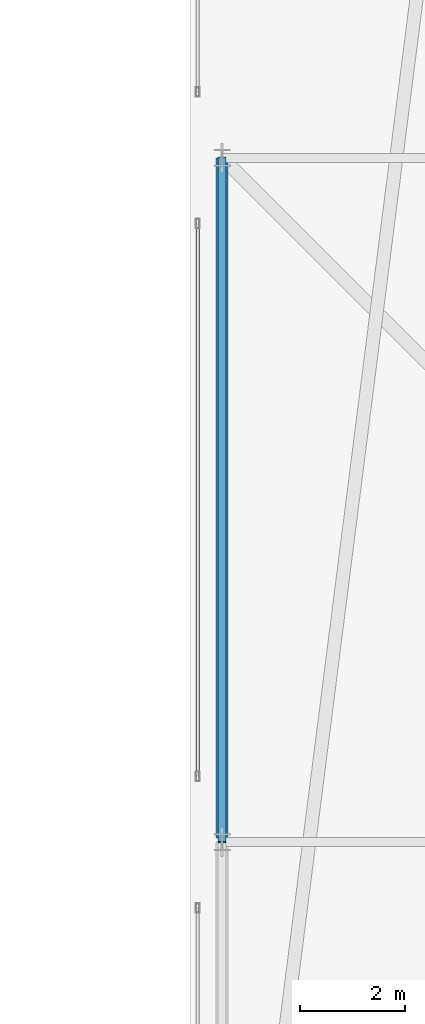
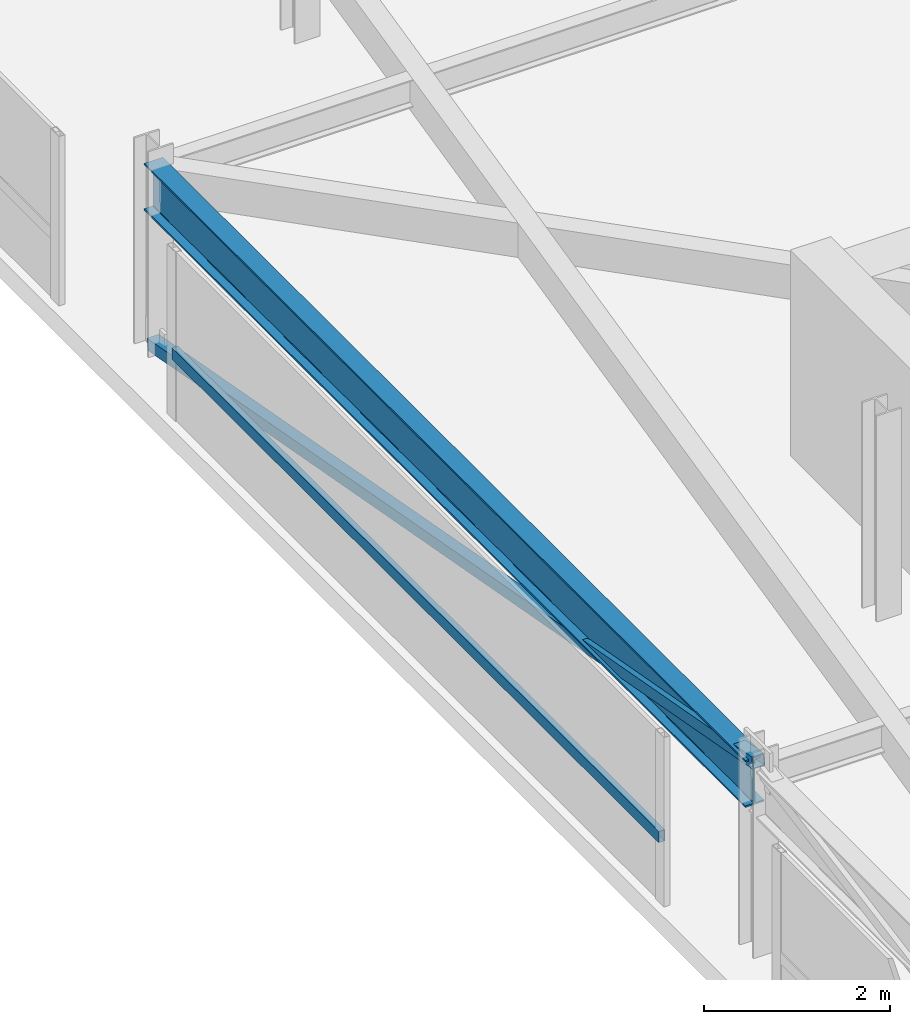
# One storey, part 23 of 44: 2 members, 1 beam, 1 element without a shape of its own.
"""IFC4 building model written with IfcOpenShell, lengths in metres."""

import ifcopenshell
import ifcopenshell.guid

model = None  # the IFC model being written
_history = None  # IfcOwnerHistory: only IFC2X3 demands one
_inside = {}  # id of a spatial element -> (the spatial element, [elements in it])
_under = {}  # id of a project, library or spatial element -> (it, [spatial elements below it])
_declared = {}  # id of a project -> (the project, [libraries it declares])
_typed = {}  # id of a type object -> (the type object, [elements of that type])
_made_of = {}  # id of a material, layer set ... -> (it, [elements and type objects made of it])


def new_model(schema):
    """Start an empty IFC model of exactly this schema.

    Asked for "IFC4X3", IfcOpenShell would pick the latest addendum, in which some entities
    have other attributes; the version numbers below select the first issue.
    IFC2X3 requires an IfcOwnerHistory on every rooted entity: one is made here for all.
    """
    global model, _history
    if schema == "IFC4X3":
        model = ifcopenshell.file(schema_version=(4, 3, 0, 0))
    else:
        model = ifcopenshell.file(schema=schema)
    _inside.clear()
    _under.clear()
    _declared.clear()
    _typed.clear()
    _made_of.clear()
    _history = None
    if model.schema == "IFC2X3":
        org = make("IfcOrganization", Name="unknown")
        user = make(
            "IfcPersonAndOrganization",
            ThePerson=make("IfcPerson", FamilyName="unknown"),
            TheOrganization=org,
        )
        app = make(
            "IfcApplication",
            ApplicationDeveloper=org,
            Version="unknown",
            ApplicationFullName="unknown",
            ApplicationIdentifier="unknown",
        )
        _history = make(
            "IfcOwnerHistory",
            OwningUser=user,
            OwningApplication=app,
            ChangeAction="ADDED",
            CreationDate=0,
        )
    return model


def make(cls, **values):
    """One entity of the class cls with the attributes given. An attribute that is None is left unset."""
    return model.create_entity(
        cls, **{name: value for name, value in values.items() if value is not None}
    )


def rooted(cls, **values):
    """An entity with a GlobalId (a new one), such as an element, a storey or a relation."""
    return make(cls, GlobalId=ifcopenshell.guid.new(), OwnerHistory=_history, **values)


def si_unit(unit_type, name, prefix=None):
    """IfcSIUnit, for example si_unit("LENGTHUNIT", "METRE", prefix="MILLI")."""
    return make("IfcSIUnit", UnitType=unit_type, Prefix=prefix, Name=name)


def assignment(units):
    """IfcUnitAssignment: the units of a project."""
    return None if units is None else make("IfcUnitAssignment", Units=units)


def point(xyz):
    """IfcCartesianPoint."""
    return None if xyz is None else make("IfcCartesianPoint", Coordinates=xyz)


def direction(xyz):
    """IfcDirection."""
    return None if xyz is None else make("IfcDirection", DirectionRatios=xyz)


def frame(location, z_axis=None, x_axis=None):
    """IfcAxis2Placement3D, a coordinate frame: its origin and axes. An axis left out is left unset."""
    return make(
        "IfcAxis2Placement3D",
        Location=point(location),
        Axis=direction(z_axis),
        RefDirection=direction(x_axis),
    )


def frame_2d(location, x_axis=None):
    """IfcAxis2Placement2D, a coordinate frame in the plane: its origin and x axis."""
    return make(
        "IfcAxis2Placement2D", Location=point(location), RefDirection=direction(x_axis)
    )


def origin():
    """The frame at (0, 0, 0) with its axes left unset."""
    return frame((0.0, 0.0, 0.0))


def origin_2d():
    """The frame at (0, 0) in the plane with its x axis left unset."""
    return frame_2d((0.0, 0.0))


def place(relative_to, where):
    """IfcLocalPlacement: puts the frame where relative to a parent placement (None: the world)."""
    return make(
        "IfcLocalPlacement", PlacementRelTo=relative_to, RelativePlacement=where
    )


def context(
    kind, dimensions, precision=None, world=None, true_north=None, identifier=None
):
    """IfcGeometricRepresentationContext, for example the 3D "Model" context."""
    return make(
        "IfcGeometricRepresentationContext",
        ContextIdentifier=identifier,
        ContextType=kind,
        CoordinateSpaceDimension=dimensions,
        Precision=precision,
        WorldCoordinateSystem=world,
        TrueNorth=true_north,
    )


def subcontext(parent, identifier, kind, view, scale=None):
    """IfcGeometricRepresentationSubContext, for example "Body" below "Model"."""
    return make(
        "IfcGeometricRepresentationSubContext",
        ContextIdentifier=identifier,
        ContextType=kind,
        ParentContext=parent,
        TargetScale=scale,
        TargetView=view,
    )


def project(units=None, contexts=None):
    """IfcProject with its units and contexts."""
    return rooted(
        "IfcProject",
        Name="project",
        RepresentationContexts=contexts,
        UnitsInContext=assignment(units),
    )


def spatial(cls, under=None, at=None, **own):
    """A site, building, storey or space (cls), placed at a placement, below another one or the project."""
    s = rooted(cls, ObjectPlacement=at, **own)
    if under is not None:
        _under.setdefault(under.id(), (under, []))[1].append(s)
    return s


def profile(cls, at=None, kind="AREA", **sizes):
    """A parametric profile (cls). Its sizes go by their IFC names, for example OverallWidth=200.0."""
    return make(cls, ProfileType=kind, Position=at, **sizes)


def hollow_rectangle(**sizes):
    """IfcRectangleHollowProfileDef."""
    return profile("IfcRectangleHollowProfileDef", **sizes)


def i_section(**sizes):
    """IfcIShapeProfileDef."""
    return profile("IfcIShapeProfileDef", **sizes)


def extrude(swept, where, along, depth):
    """IfcExtrudedAreaSolid: the profile swept, set in the frame where, extruded along a direction by depth."""
    return make(
        "IfcExtrudedAreaSolid",
        SweptArea=swept,
        Position=where,
        ExtrudedDirection=direction(along),
        Depth=depth,
    )


def shape(context_of_items, identifier, shape_type, items):
    """IfcShapeRepresentation: the items that make up one representation, for example the "Body"."""
    return make(
        "IfcShapeRepresentation",
        ContextOfItems=context_of_items,
        RepresentationIdentifier=identifier,
        RepresentationType=shape_type,
        Items=items,
    )


def material(Name=None, Category=None):
    """IfcMaterial."""
    return make("IfcMaterial", Name=Name, Category=Category)


def material_profile(
    of_material, cross_section, Name=None, Category=None, Priority=None
):
    """IfcMaterialProfile: a cross section and its material."""
    return make(
        "IfcMaterialProfile",
        Name=Name,
        Material=of_material,
        Profile=cross_section,
        Priority=Priority,
        Category=Category,
    )


def profile_set(profiles, Name=None, composite=None):
    """IfcMaterialProfileSet."""
    return make(
        "IfcMaterialProfileSet",
        Name=Name,
        MaterialProfiles=profiles,
        CompositeProfile=composite,
    )


def made_of(thing, what):
    """Note that an element or type object is made of a material, layer set ...; save() writes the relation."""
    if what is not None:
        _made_of.setdefault(what.id(), (what, []))[1].append(thing)
    return thing


def type_object(cls, material=None, **own):
    """A type object (cls), such as IfcWallType, which elements share."""
    return made_of(rooted(cls, **own), material)


def element(
    cls,
    number,
    at=None,
    inside=None,
    cuts=None,
    type_object=None,
    material=None,
    context=None,
    identifier="Body",
    shape_type=None,
    held_by="IfcProductDefinitionShape",
    body=None,
    shapes=None,
    **own,
):
    """One element of the class cls, such as IfcWall. Its Tag is "e" and its number.

    at: its placement. inside: the storey or other place that contains it. cuts: it is an
    opening in that element (IfcRelVoidsElement). A single representation is given by context,
    identifier, shape_type and body (its items); several are given by shapes. held_by: the class
    of the entity that holds the representations. save() writes the other relations.
    """
    e = rooted(cls, Tag="e%d" % number, ObjectPlacement=at, **own)
    if body is not None:
        shapes = [shape(context, identifier, shape_type, body)]
    if shapes is not None:
        e.Representation = make(held_by, Representations=shapes)
    if inside is not None:
        _inside.setdefault(inside.id(), (inside, []))[1].append(e)
    if cuts is not None:
        rooted(
            "IfcRelVoidsElement", RelatingBuildingElement=cuts, RelatedOpeningElement=e
        )
    if type_object is not None:
        _typed.setdefault(type_object.id(), (type_object, []))[1].append(e)
    return made_of(e, material)


def aggregate(whole, parts):
    """IfcRelAggregates: a whole, such as a stair, and the parts it consists of."""
    return rooted("IfcRelAggregates", RelatingObject=whole, RelatedObjects=parts)


def save(model, path):
    """Write the relations noted so far, then the file.

    IfcRelAggregates (storeys below a building ...), IfcRelContainedInSpatialStructure (elements
    in a storey), IfcRelDefinesByType, IfcRelAssociatesMaterial and IfcRelDeclares: one each for
    every whole, place, type object, material and project.
    """
    for whole, parts in _under.values():
        aggregate(whole, parts)
    for where, things in _inside.values():
        rooted(
            "IfcRelContainedInSpatialStructure",
            RelatedElements=things,
            RelatingStructure=where,
        )
    for kind, things in _typed.values():
        rooted("IfcRelDefinesByType", RelatedObjects=things, RelatingType=kind)
    for what, things in _made_of.values():
        rooted("IfcRelAssociatesMaterial", RelatedObjects=things, RelatingMaterial=what)
    for by, libraries in _declared.values():
        rooted("IfcRelDeclares", RelatingContext=by, RelatedDefinitions=libraries)
    model.write(path)


model = new_model("IFC4")

# Units and contexts
model_context = context("Model", 3, precision=1e-05, world=origin(), true_north=direction((0.0, 1.0)))
body_context = subcontext(model_context, "Body", "Model", "MODEL_VIEW")
ifc_project = project(units=[si_unit("LENGTHUNIT", "METRE"), si_unit("AREAUNIT", "SQUARE_METRE"), si_unit("VOLUMEUNIT", "CUBIC_METRE"), si_unit("PLANEANGLEUNIT", "RADIAN"), si_unit("MASSUNIT", "GRAM", prefix="KILO")], contexts=[model_context])

# Site, building, storey
site_placement = place(None, origin())
site = spatial("IfcSite", under=ifc_project, at=site_placement, CompositionType="ELEMENT")
building_placement = place(site_placement, origin())
building = spatial("IfcBuilding", under=site, at=building_placement, Name="Thornwick Lancets Civic Towers", CompositionType="ELEMENT")
storey_placement = place(building_placement, frame((0.0, 0.0, 294.89990234375)))
storey = spatial("IfcBuildingStorey", under=building, at=storey_placement, Name="C06", CompositionType="ELEMENT", Elevation=294.89990234375)

# Beam
ifc_material_1 = material(Name="Steel S355JR", Category="steel")
ifc_material_profile_1 = material_profile(ifc_material_1, i_section(OverallWidth=0.230224609375, OverallDepth=0.6171875, WebThickness=0.01318359375, FlangeThickness=0.022216796875, FilletRadius=0.0126953125, at=origin_2d()), Name="UKB 610x229x140")
ifc_profile_set_1 = profile_set([ifc_material_profile_1], Name="Steel S355JR")
beam_type = type_object("IfcBeamType", Name="BM_GIRD_610_140", PredefinedType="BEAM", material=ifc_profile_set_1)
beam_placement = place(storey_placement, frame((71.199951171875, 27.080078125, 2.131591796875), z_axis=(0.0, 1.0, 0.0), x_axis=(-1.0, 0.0, 0.0)))
element("IfcBeam", 1, at=beam_placement, inside=storey, type_object=beam_type, Name="BM-SPINE-C06-B-7-8", PredefinedType="BEAM", context=body_context, shape_type="SweptSolid", body=[
    extrude(i_section(OverallWidth=0.230224609375, OverallDepth=0.6171875, WebThickness=0.01318359375, FlangeThickness=0.022216796875, FilletRadius=0.0126953125, at=origin_2d()), origin(), (0.0, 0.0, 1.0), 12.919921875),
])

# Curtain wall, member
ifc_material_2 = material(Name="Crown ring acoustic-louvre and glazing screen wall", Category="glass")
curtain_wall_type = type_object("IfcCurtainWallType", Name="CW_SYS_07", PredefinedType="NOTDEFINED", material=ifc_material_2)
curtain_wall_placement = place(storey_placement, origin())
curtain_wall = element("IfcCurtainWall", 2, at=curtain_wall_placement, inside=storey, type_object=curtain_wall_type, Name="C06 Curtain Wall CW-C06-B-E6-S2", PredefinedType="NOTDEFINED")
ifc_material_3 = material(Name="Thermally broken bronze aluminium S355", Category="steel")
ifc_material_profile_2 = material_profile(ifc_material_3, hollow_rectangle(XDim=0.074951171875, YDim=0.14990234375, WallThickness=0.0048828125, at=origin_2d()), Name="RHS 150x75x5")
ifc_profile_set_2 = profile_set([ifc_material_profile_2], Name="Thermally broken bronze aluminium S355")
member_type_1 = type_object("IfcMemberType", Name="CW_TRN_150", PredefinedType="USERDEFINED", material=ifc_profile_set_2)
member_1_placement = place(storey_placement, frame((70.7353515625, 38.72998046875, 0.85009765625), z_axis=(0.0, -1.0, 0.0), x_axis=(1.0, 0.0, 0.0)))
member_1 = element("IfcMember", 3, at=member_1_placement, type_object=member_type_1, Name="CW-C06-B-E6-S2 Transom 0", ObjectType="TRANSOM", PredefinedType="USERDEFINED", context=body_context, shape_type="SweptSolid", body=[
    extrude(hollow_rectangle(XDim=0.074951171875, YDim=0.14990234375, WallThickness=0.0048828125, at=origin_2d()), origin(), (0.0, 0.0, 1.0), 10.4599609375),
])
aggregate(curtain_wall, [member_1])

# Member
ifc_material_profile_3 = material_profile(ifc_material_1, hollow_rectangle(XDim=0.14990234375, YDim=0.14990234375, WallThickness=0.010009765625, at=origin_2d()), Name="SHS 150x150x10")
ifc_profile_set_3 = profile_set([ifc_material_profile_3], Name="Steel S355JR")
member_type_2 = type_object("IfcMemberType", Name="MEM_CROWN_SHS150", PredefinedType="BRACE", material=ifc_profile_set_3)
member_2_placement = place(storey_placement, frame((71.199951171875, 40.0, 0.050048828125), z_axis=(0.0, -0.983515136313, 0.180825818519), x_axis=(1.0, 0.0, 0.0)))
element("IfcMember", 4, at=member_2_placement, inside=storey, type_object=member_type_2, Name="C06 Crown Ring Lancet Rib B-S2-R", PredefinedType="BRACE", context=body_context, shape_type="SweptSolid", body=[
    extrude(hollow_rectangle(XDim=0.14990234375, YDim=0.14990234375, WallThickness=0.010009765625, at=origin_2d()), origin(), (0.0, 0.0, 1.0), 13.2177734375),
])

save(model, "model.ifc")
